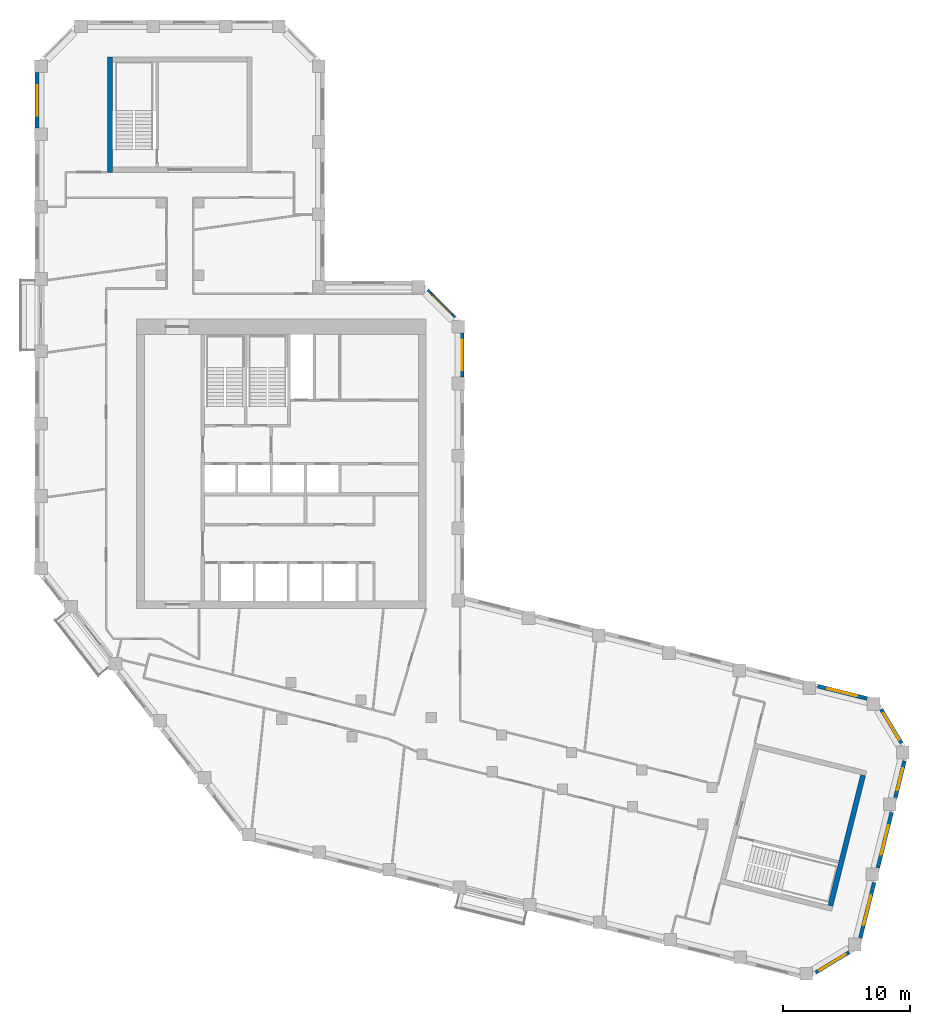
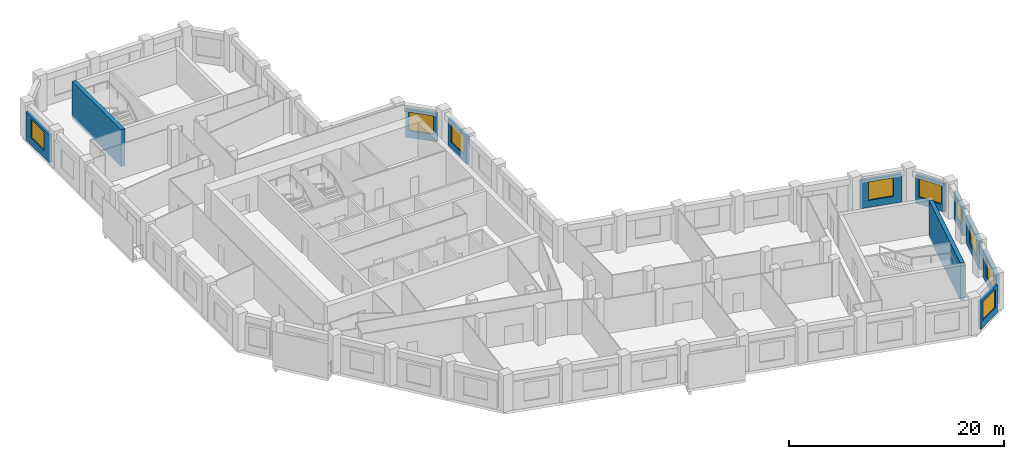
# One storey, part 7 of 9: 11 walls, 9 windows, 9 openings.
"""IFC4 building model written with IfcOpenShell, lengths in metres."""

from ifc_helpers import new_model, si_unit, direction, frame, frame_2d, origin, place, context, subcontext, project, spatial, rectangle, extrude, material, layer, layer_set, type_object, element, fill, save


model = new_model("IFC4")

# Units and contexts
model_context = context("Model", 3, precision=1e-05, world=origin(), true_north=direction((0.0, 1.0)))
body_context = subcontext(model_context, "Body", "Model", "MODEL_VIEW")
ifc_project = project(units=[si_unit("LENGTHUNIT", "METRE"), si_unit("AREAUNIT", "SQUARE_METRE"), si_unit("VOLUMEUNIT", "CUBIC_METRE"), si_unit("PLANEANGLEUNIT", "RADIAN"), si_unit("MASSUNIT", "GRAM", prefix="KILO")], contexts=[model_context])

# Site, building, storey
site_placement = place(None, origin())
site = spatial("IfcSite", under=ifc_project, at=site_placement, CompositionType="ELEMENT")
building_placement = place(site_placement, origin())
building = spatial("IfcBuilding", under=site, at=building_placement, Name="Meshkara Civic Tower", CompositionType="ELEMENT")
storey_placement = place(building_placement, frame((0.0, 0.0, 315.0)))
storey = spatial("IfcBuildingStorey", under=building, at=storey_placement, Name="L72", CompositionType="ELEMENT", Elevation=315.0)

# Wall, opening, window
ifc_material_1 = material(Name="Insulated infill panel with bronze anodised aluminium cladding", Category="aluminium")
ifc_layer_1 = layer(ifc_material_1, 0.300048828125)
ifc_layer_set_1 = layer_set([ifc_layer_1], Name="EXTERNAL INFILL WALL 300")
wall_type_1 = type_object("IfcWallType", Name="EXTERNAL INFILL WALL 300", PredefinedType="SOLIDWALL", material=ifc_layer_set_1)
wall_1_placement = place(storey_placement, frame((65.548095703125, 7.0, 0.0), z_axis=(0.0, 0.0, 1.0), x_axis=(-0.970260773365, 0.242062040951, 0.0)))
wall_1 = element("IfcWall", 1, at=wall_1_placement, inside=storey, type_object=wall_type_1, Name="External wall", PredefinedType="SOLIDWALL", context=body_context, shape_type="SweptSolid", body=[
    extrude(rectangle(XDim=4.003173828125, YDim=0.300048828125, at=frame_2d((2.00146484375, 0.0))), origin(), (0.0, 0.0, 1.0), 3.199951171875),
])
opening_1_placement = place(wall_1_placement, frame((0.801025390625, 0.0, 0.800048828125)))
opening_1 = element("IfcOpeningElement", 2, at=opening_1_placement, cuts=wall_1, Name="Opening W7", PredefinedType="OPENING", context=body_context, shape_type="SweptSolid", body=[
    extrude(rectangle(XDim=2.39990234375, YDim=2.10009765625, at=frame_2d((1.199951171875, 1.050048828125))), frame((0.0, 0.159912109375, 0.0), z_axis=(0.0, -1.0, 0.0), x_axis=(1.0, 0.0, 0.0)), (0.0, 0.0, 1.0), 0.320068359375),
])
ifc_material_2 = material(Name="Tinted double glazing", Category="glass")
window_type_1 = type_object("IfcWindowType", Name="WINDOW 2400x2100", PartitioningType="DOUBLE_PANEL_VERTICAL", PredefinedType="WINDOW", material=ifc_material_2)
window_1_placement = place(opening_1_placement, origin())
window_1 = element("IfcWindow", 3, at=window_1_placement, inside=storey, type_object=window_type_1, Name="Window", OverallHeight=2.10009765625, OverallWidth=2.39990234375, PartitioningType="DOUBLE_PANEL_VERTICAL", PredefinedType="WINDOW", context=body_context, shape_type="SweptSolid", body=[
    extrude(rectangle(XDim=2.39990234375, YDim=2.10009765625, at=frame_2d((1.199951171875, 1.050048828125))), frame((0.0, 0.030029296875, 0.0), z_axis=(0.0, -1.0, 0.0), x_axis=(1.0, 0.0, 0.0)), (0.0, 0.0, 1.0), 0.06005859375),
])
fill(opening_1, window_1)

wall_2_placement = place(storey_placement, frame((33.64990234375, 32.319091796875, 0.0), z_axis=(0.0, 0.0, 1.0), x_axis=(0.0, 1.0, 0.0)))
wall_2 = element("IfcWall", 4, at=wall_2_placement, inside=storey, type_object=wall_type_1, Name="External wall", PredefinedType="SOLIDWALL", context=body_context, shape_type="SweptSolid", body=[
    extrude(rectangle(XDim=3.474853515625, YDim=0.300048828125, at=frame_2d((1.7373046875, 0.0))), origin(), (0.0, 0.0, 1.0), 3.199951171875),
])
opening_2_placement = place(wall_2_placement, frame((0.5380859375, 0.0, 0.800048828125)))
opening_2 = element("IfcOpeningElement", 5, at=opening_2_placement, cuts=wall_2, Name="Opening W7", PredefinedType="OPENING", context=body_context, shape_type="SweptSolid", body=[
    extrude(rectangle(XDim=2.39990234375, YDim=2.10009765625, at=frame_2d((1.199951171875, 1.050048828125))), frame((0.0, 0.159912109375, 0.0), z_axis=(0.0, -1.0, 0.0), x_axis=(1.0, 0.0, 0.0)), (0.0, 0.0, 1.0), 0.320068359375),
])
window_2_placement = place(opening_2_placement, origin())
window_2 = element("IfcWindow", 6, at=window_2_placement, inside=storey, type_object=window_type_1, Name="Window", OverallHeight=2.10009765625, OverallWidth=2.39990234375, PartitioningType="DOUBLE_PANEL_VERTICAL", PredefinedType="WINDOW", context=body_context, shape_type="SweptSolid", body=[
    extrude(rectangle(XDim=2.39990234375, YDim=2.10009765625, at=frame_2d((1.199951171875, 1.050048828125))), frame((0.0, 0.030029296875, 0.0), z_axis=(0.0, -1.0, 0.0), x_axis=(1.0, 0.0, 0.0)), (0.0, 0.0, 1.0), 0.06005859375),
])
fill(opening_2, window_2)

wall_3_placement = place(storey_placement, frame((33.06201171875, 37.006103515625, 0.0), z_axis=(0.0, 0.0, 1.0), x_axis=(-0.707106781187, 0.707106781187, 0.0)))
wall_3 = element("IfcWall", 7, at=wall_3_placement, inside=storey, type_object=wall_type_1, Name="External wall", PredefinedType="SOLIDWALL", context=body_context, shape_type="SweptSolid", body=[
    extrude(rectangle(XDim=3.049072265625, YDim=0.300048828125, at=frame_2d((1.5244140625, 0.0))), origin(), (0.0, 0.0, 1.0), 3.199951171875),
])
opening_3_placement = place(wall_3_placement, frame((0.324951171875, 0.0, 0.800048828125)))
opening_3 = element("IfcOpeningElement", 8, at=opening_3_placement, cuts=wall_3, Name="Opening W7", PredefinedType="OPENING", context=body_context, shape_type="SweptSolid", body=[
    extrude(rectangle(XDim=2.39990234375, YDim=2.10009765625, at=frame_2d((1.199951171875, 1.050048828125))), frame((0.0, 0.159912109375, 0.0), z_axis=(0.0, -1.0, 0.0), x_axis=(1.0, 0.0, 0.0)), (0.0, 0.0, 1.0), 0.320068359375),
])
window_3_placement = place(opening_3_placement, origin())
window_3 = element("IfcWindow", 9, at=window_3_placement, inside=storey, type_object=window_type_1, Name="Window", OverallHeight=2.10009765625, OverallWidth=2.39990234375, PartitioningType="DOUBLE_PANEL_VERTICAL", PredefinedType="WINDOW", context=body_context, shape_type="SweptSolid", body=[
    extrude(rectangle(XDim=2.39990234375, YDim=2.10009765625, at=frame_2d((1.199951171875, 1.050048828125))), frame((0.0, 0.030029296875, 0.0), z_axis=(0.0, -1.0, 0.0), x_axis=(1.0, 0.0, 0.0)), (0.0, 0.0, 1.0), 0.06005859375),
])
fill(opening_3, window_3)

wall_4_placement = place(storey_placement, frame((0.14990234375, 56.31396484375, 0.0), z_axis=(0.0, 0.0, 1.0), x_axis=(0.0, -1.0, 0.0)))
wall_4 = element("IfcWall", 10, at=wall_4_placement, inside=storey, type_object=wall_type_1, Name="External wall", PredefinedType="SOLIDWALL", context=body_context, shape_type="SweptSolid", body=[
    extrude(rectangle(XDim=4.35888671875, YDim=0.300048828125, at=frame_2d((2.179443359375, 0.0))), origin(), (0.0, 0.0, 1.0), 3.199951171875),
])
opening_4_placement = place(wall_4_placement, frame((0.97998046875, 0.0, 0.800048828125)))
opening_4 = element("IfcOpeningElement", 11, at=opening_4_placement, cuts=wall_4, Name="Opening W7", PredefinedType="OPENING", context=body_context, shape_type="SweptSolid", body=[
    extrude(rectangle(XDim=2.39990234375, YDim=2.10009765625, at=frame_2d((1.199951171875, 1.050048828125))), frame((0.0, 0.159912109375, 0.0), z_axis=(0.0, -1.0, 0.0), x_axis=(1.0, 0.0, 0.0)), (0.0, 0.0, 1.0), 0.320068359375),
])
window_4_placement = place(opening_4_placement, origin())
window_4 = element("IfcWindow", 12, at=window_4_placement, inside=storey, type_object=window_type_1, Name="Window", OverallHeight=2.10009765625, OverallWidth=2.39990234375, PartitioningType="DOUBLE_PANEL_VERTICAL", PredefinedType="WINDOW", context=body_context, shape_type="SweptSolid", body=[
    extrude(rectangle(XDim=2.39990234375, YDim=2.10009765625, at=frame_2d((1.199951171875, 1.050048828125))), frame((0.0, 0.030029296875, 0.0), z_axis=(0.0, -1.0, 0.0), x_axis=(1.0, 0.0, 0.0)), (0.0, 0.0, 1.0), 0.06005859375),
])
fill(opening_4, window_4)

wall_5_placement = place(storey_placement, frame((61.509033203125, -14.591064453125, 0.0), z_axis=(0.0, 0.0, 1.0), x_axis=(0.856969799001, 0.515366630275, 0.0)))
wall_5 = element("IfcWall", 13, at=wall_5_placement, inside=storey, type_object=wall_type_1, Name="External wall", PredefinedType="SOLIDWALL", context=body_context, shape_type="SweptSolid", body=[
    extrude(rectangle(XDim=3.091064453125, YDim=0.300048828125, at=frame_2d((1.54541015625, 0.0))), origin(), (0.0, 0.0, 1.0), 3.199951171875),
])
opening_5_placement = place(wall_5_placement, frame((0.344970703125, 0.0, 0.800048828125)))
opening_5 = element("IfcOpeningElement", 14, at=opening_5_placement, cuts=wall_5, Name="Opening W7", PredefinedType="OPENING", context=body_context, shape_type="SweptSolid", body=[
    extrude(rectangle(XDim=2.39990234375, YDim=2.10009765625, at=frame_2d((1.199951171875, 1.050048828125))), frame((0.0, 0.159912109375, 0.0), z_axis=(0.0, -1.0, 0.0), x_axis=(1.0, 0.0, 0.0)), (0.0, 0.0, 1.0), 0.320068359375),
])
window_5_placement = place(opening_5_placement, origin())
window_5 = element("IfcWindow", 15, at=window_5_placement, inside=storey, type_object=window_type_1, Name="Window", OverallHeight=2.10009765625, OverallWidth=2.39990234375, PartitioningType="DOUBLE_PANEL_VERTICAL", PredefinedType="WINDOW", context=body_context, shape_type="SweptSolid", body=[
    extrude(rectangle(XDim=2.39990234375, YDim=2.10009765625, at=frame_2d((1.199951171875, 1.050048828125))), frame((0.0, 0.030029296875, 0.0), z_axis=(0.0, -1.0, 0.0), x_axis=(1.0, 0.0, 0.0)), (0.0, 0.0, 1.0), 0.06005859375),
])
fill(opening_5, window_5)

wall_6_placement = place(storey_placement, frame((65.029052734375, -11.8720703125, 0.0), z_axis=(0.0, 0.0, 1.0), x_axis=(0.241946839653, 0.970289506684, 0.0)))
wall_6 = element("IfcWall", 16, at=wall_6_placement, inside=storey, type_object=wall_type_1, Name="External wall", PredefinedType="SOLIDWALL", context=body_context, shape_type="SweptSolid", body=[
    extrude(rectangle(XDim=4.48828125, YDim=0.300048828125, at=frame_2d((2.244140625, 0.0))), origin(), (0.0, 0.0, 1.0), 3.199951171875),
])
opening_6_placement = place(wall_6_placement, frame((1.0439453125, 0.0, 0.800048828125)))
opening_6 = element("IfcOpeningElement", 17, at=opening_6_placement, cuts=wall_6, Name="Opening W7", PredefinedType="OPENING", context=body_context, shape_type="SweptSolid", body=[
    extrude(rectangle(XDim=2.39990234375, YDim=2.10009765625, at=frame_2d((1.199951171875, 1.050048828125))), frame((0.0, 0.159912109375, 0.0), z_axis=(0.0, -1.0, 0.0), x_axis=(1.0, 0.0, 0.0)), (0.0, 0.0, 1.0), 0.320068359375),
])
window_6_placement = place(opening_6_placement, origin())
window_6 = element("IfcWindow", 18, at=window_6_placement, inside=storey, type_object=window_type_1, Name="Window", OverallHeight=2.10009765625, OverallWidth=2.39990234375, PartitioningType="DOUBLE_PANEL_VERTICAL", PredefinedType="WINDOW", context=body_context, shape_type="SweptSolid", body=[
    extrude(rectangle(XDim=2.39990234375, YDim=2.10009765625, at=frame_2d((1.199951171875, 1.050048828125))), frame((0.0, 0.030029296875, 0.0), z_axis=(0.0, -1.0, 0.0), x_axis=(1.0, 0.0, 0.0)), (0.0, 0.0, 1.0), 0.06005859375),
])
fill(opening_6, window_6)

wall_7_placement = place(storey_placement, frame((66.407958984375, -6.341064453125, 0.0), z_axis=(0.0, 0.0, 1.0), x_axis=(0.241997928406, 0.970276766004, 0.0)))
wall_7 = element("IfcWall", 19, at=wall_7_placement, inside=storey, type_object=wall_type_1, Name="External wall", PredefinedType="SOLIDWALL", context=body_context, shape_type="SweptSolid", body=[
    extrude(rectangle(XDim=4.4873046875, YDim=0.300048828125, at=frame_2d((2.24365234375, 0.0))), origin(), (0.0, 0.0, 1.0), 3.199951171875),
])
opening_7_placement = place(wall_7_placement, frame((1.0439453125, 0.0, 0.800048828125)))
opening_7 = element("IfcOpeningElement", 20, at=opening_7_placement, cuts=wall_7, Name="Opening W7", PredefinedType="OPENING", context=body_context, shape_type="SweptSolid", body=[
    extrude(rectangle(XDim=2.39990234375, YDim=2.10009765625, at=frame_2d((1.199951171875, 1.050048828125))), frame((0.0, 0.159912109375, 0.0), z_axis=(0.0, -1.0, 0.0), x_axis=(1.0, 0.0, 0.0)), (0.0, 0.0, 1.0), 0.320068359375),
])
window_7_placement = place(opening_7_placement, origin())
window_7 = element("IfcWindow", 21, at=window_7_placement, inside=storey, type_object=window_type_1, Name="Window", OverallHeight=2.10009765625, OverallWidth=2.39990234375, PartitioningType="DOUBLE_PANEL_VERTICAL", PredefinedType="WINDOW", context=body_context, shape_type="SweptSolid", body=[
    extrude(rectangle(XDim=2.39990234375, YDim=2.10009765625, at=frame_2d((1.199951171875, 1.050048828125))), frame((0.0, 0.030029296875, 0.0), z_axis=(0.0, -1.0, 0.0), x_axis=(1.0, 0.0, 0.0)), (0.0, 0.0, 1.0), 0.06005859375),
])
fill(opening_7, window_7)

wall_8_placement = place(storey_placement, frame((67.787109375, -0.81103515625, 0.0), z_axis=(0.0, 0.0, 1.0), x_axis=(0.242052773757, 0.970263085311, 0.0)))
wall_8 = element("IfcWall", 22, at=wall_8_placement, inside=storey, type_object=wall_type_1, Name="External wall", PredefinedType="SOLIDWALL", context=body_context, shape_type="SweptSolid", body=[
    extrude(rectangle(XDim=2.974365234375, YDim=0.300048828125, at=frame_2d((1.4873046875, 0.0))), origin(), (0.0, 0.0, 1.0), 3.199951171875),
])
opening_8_placement = place(wall_8_placement, frame((0.5869140625, 0.0, 0.800048828125)))
opening_8 = element("IfcOpeningElement", 23, at=opening_8_placement, cuts=wall_8, Name="Opening W9", PredefinedType="OPENING", context=body_context, shape_type="SweptSolid", body=[
    extrude(rectangle(XDim=1.800048828125, YDim=2.10009765625, at=frame_2d((0.89990234375, 1.050048828125))), frame((0.0, 0.159912109375, 0.0), z_axis=(0.0, -1.0, 0.0), x_axis=(1.0, 0.0, 0.0)), (0.0, 0.0, 1.0), 0.320068359375),
])
ifc_material_3 = material(Name="Tinted double glazing", Category="glass")
window_type_2 = type_object("IfcWindowType", Name="WINDOW 1800x2100", PartitioningType="DOUBLE_PANEL_VERTICAL", PredefinedType="WINDOW", material=ifc_material_3)
window_8_placement = place(opening_8_placement, origin())
window_8 = element("IfcWindow", 24, at=window_8_placement, inside=storey, type_object=window_type_2, Name="Window", OverallHeight=2.10009765625, OverallWidth=1.800048828125, PartitioningType="DOUBLE_PANEL_VERTICAL", PredefinedType="WINDOW", context=body_context, shape_type="SweptSolid", body=[
    extrude(rectangle(XDim=1.800048828125, YDim=2.10009765625, at=frame_2d((0.89990234375, 1.050048828125))), frame((0.0, 0.030029296875, 0.0), z_axis=(0.0, -1.0, 0.0), x_axis=(1.0, 0.0, 0.0)), (0.0, 0.0, 1.0), 0.06005859375),
])
fill(opening_8, window_8)

wall_9_placement = place(storey_placement, frame((68.26611328125, 3.47900390625, 0.0), z_axis=(0.0, 0.0, 1.0), x_axis=(-0.514995068029, 0.857193140375, 0.0)))
wall_9 = element("IfcWall", 25, at=wall_9_placement, inside=storey, type_object=wall_type_1, Name="External wall", PredefinedType="SOLIDWALL", context=body_context, shape_type="SweptSolid", body=[
    extrude(rectangle(XDim=3.09130859375, YDim=0.300048828125, at=frame_2d((1.545654296875, 0.0))), origin(), (0.0, 0.0, 1.0), 3.199951171875),
])
opening_9_placement = place(wall_9_placement, frame((0.345947265625, 0.0, 0.800048828125)))
opening_9 = element("IfcOpeningElement", 26, at=opening_9_placement, cuts=wall_9, Name="Opening W7", PredefinedType="OPENING", context=body_context, shape_type="SweptSolid", body=[
    extrude(rectangle(XDim=2.39990234375, YDim=2.10009765625, at=frame_2d((1.199951171875, 1.050048828125))), frame((0.0, 0.159912109375, 0.0), z_axis=(0.0, -1.0, 0.0), x_axis=(1.0, 0.0, 0.0)), (0.0, 0.0, 1.0), 0.320068359375),
])
window_9_placement = place(opening_9_placement, origin())
window_9 = element("IfcWindow", 27, at=window_9_placement, inside=storey, type_object=window_type_1, Name="Window", OverallHeight=2.10009765625, OverallWidth=2.39990234375, PartitioningType="DOUBLE_PANEL_VERTICAL", PredefinedType="WINDOW", context=body_context, shape_type="SweptSolid", body=[
    extrude(rectangle(XDim=2.39990234375, YDim=2.10009765625, at=frame_2d((1.199951171875, 1.050048828125))), frame((0.0, 0.030029296875, 0.0), z_axis=(0.0, -1.0, 0.0), x_axis=(1.0, 0.0, 0.0)), (0.0, 0.0, 1.0), 0.06005859375),
])
fill(opening_9, window_9)

# Walls
ifc_material_4 = material(Name="Concrete C60", Category="concrete")
ifc_layer_2 = layer(ifc_material_4, 0.39990234375)
ifc_layer_set_2 = layer_set([ifc_layer_2], Name="End core ring wall 400 C60")
wall_type_2 = type_object("IfcWallType", Name="End core ring wall 400 C60", PredefinedType="SHEAR", material=ifc_layer_set_2)
wall_10_placement = place(storey_placement, frame((5.89990234375, 48.469970703125, -0.300048828125), z_axis=(0.0, 0.0, 1.0), x_axis=(0.0, 1.0, 0.0)))
element("IfcWall", 28, at=wall_10_placement, inside=storey, type_object=wall_type_2, Name="L72-C027", PredefinedType="SHEAR", context=body_context, shape_type="SweptSolid", body=[
    extrude(rectangle(XDim=9.10009765625, YDim=0.39990234375, at=frame_2d((4.550048828125, 0.0))), origin(), (0.0, 0.0, 1.0), 4.199951171875),
])
wall_11_placement = place(storey_placement, frame((62.672119140625, -9.339111328125, -0.300048828125), z_axis=(0.0, 0.0, 1.0), x_axis=(0.241971982666, 0.970283236795, 0.0)))
element("IfcWall", 29, at=wall_11_placement, inside=storey, type_object=wall_type_2, Name="L72-C035", PredefinedType="SHEAR", context=body_context, shape_type="SweptSolid", body=[
    extrude(rectangle(XDim=10.60009765625, YDim=0.39990234375, at=frame_2d((5.300048828125, 0.0))), origin(), (0.0, 0.0, 1.0), 4.199951171875),
])

save(model, "model.ifc")
